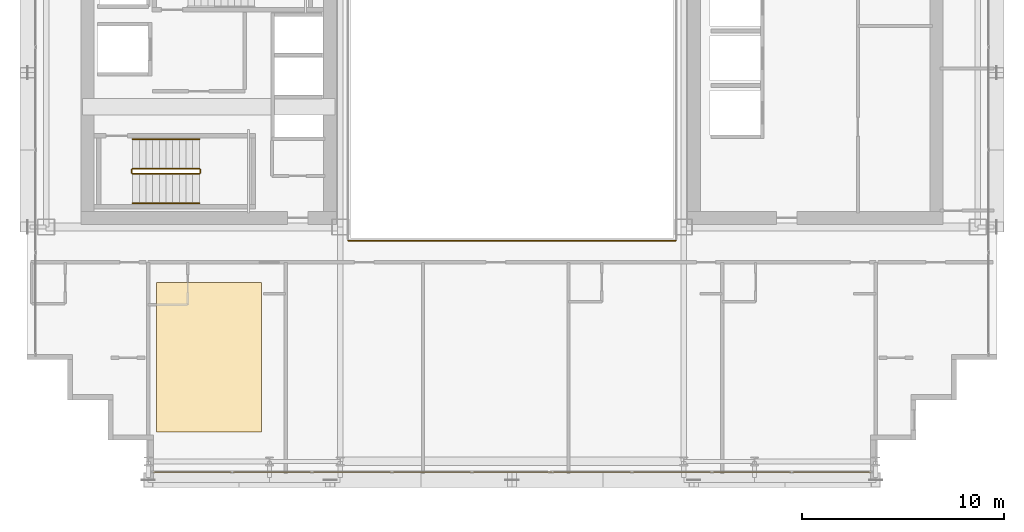
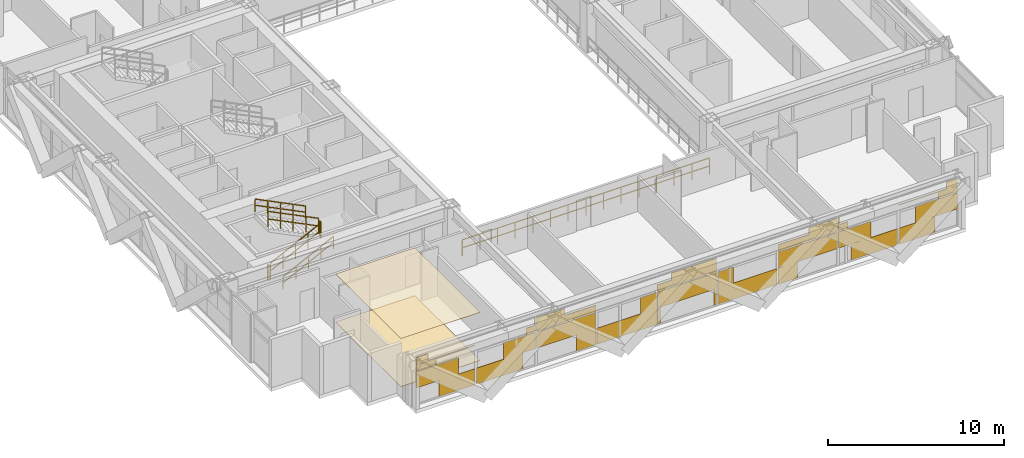
# One storey, part 32 of 35: 7 railings, 3 coverings.
"""IFC4 building model written with IfcOpenShell, lengths in metres."""

from ifc_helpers import new_model, si_unit, direction, frame, origin, origin_2d, place, context, subcontext, project, spatial, polyline, rectangle, outline, extrude, material, layer, layer_set, type_object, element, save


model = new_model("IFC4")

# Units and contexts
model_context = context("Model", 3, precision=1e-05, world=origin(), true_north=direction((0.0, 1.0)))
body_context = subcontext(model_context, "Body", "Model", "MODEL_VIEW")
ifc_project = project(units=[si_unit("LENGTHUNIT", "METRE"), si_unit("AREAUNIT", "SQUARE_METRE"), si_unit("VOLUMEUNIT", "CUBIC_METRE"), si_unit("PLANEANGLEUNIT", "RADIAN"), si_unit("MASSUNIT", "GRAM", prefix="KILO")], contexts=[model_context])

# Site, building, storey
site_placement = place(None, origin())
site = spatial("IfcSite", under=ifc_project, at=site_placement, CompositionType="ELEMENT")
building_placement = place(site_placement, origin())
building = spatial("IfcBuilding", under=site, at=building_placement, Name="Ocotamira Hotel", CompositionType="ELEMENT")
storey_placement = place(building_placement, frame((0.0, 0.0, 144.0)))
storey = spatial("IfcBuildingStorey", under=building, at=storey_placement, Name="L36", CompositionType="ELEMENT", Elevation=144.0)

# Coverings
ifc_material_1 = material(Name="Perforated acoustic gypsum ceiling board", Category="gypsum")
ifc_layer_1 = layer(ifc_material_1, 0.02490234375)
ifc_layer_set_1 = layer_set([ifc_layer_1], Name="Perforated acoustic gypsum ceiling board")
covering_type_1 = type_object("IfcCoveringType", Name="COV-CEIL-25", PredefinedType="CEILING", material=ifc_layer_set_1)
covering_1_placement = place(storey_placement, frame((0.0, 0.0, 3.3349609375)))
element("IfcCovering", 1, at=covering_1_placement, inside=storey, type_object=covering_type_1, Name="L36 Acoustic Ceiling", PredefinedType="CEILING", context=body_context, shape_type="SweptSolid", body=[
    extrude(outline(polyline([(14.39990234375, 4.39990234375), (19.60009765625, 4.39990234375), (19.60009765625, 11.800048828125), (14.39990234375, 11.800048828125), (14.39990234375, 4.39990234375)])), origin(), (0.0, 0.0, 1.0), 0.025146484375),
])
ifc_material_2 = material(Name="Honed desert travertine stone flooring", Category="masonry")
ifc_layer_2 = layer(ifc_material_2, 0.030029296875)
ifc_layer_set_2 = layer_set([ifc_layer_2], Name="Honed desert travertine stone flooring")
covering_type_2 = type_object("IfcCoveringType", Name="COV-FLOR-30", PredefinedType="FLOORING", material=ifc_layer_set_2)
covering_2_placement = place(storey_placement, origin())
element("IfcCovering", 2, at=covering_2_placement, inside=storey, type_object=covering_type_2, Name="L36 Honed Stone Floor Finish", PredefinedType="FLOORING", context=body_context, shape_type="SweptSolid", body=[
    extrude(outline(polyline([(14.39990234375, 4.39990234375), (19.60009765625, 4.39990234375), (19.60009765625, 11.800048828125), (14.39990234375, 11.800048828125), (14.39990234375, 4.39990234375)])), origin(), (0.0, 0.0, 1.0), 0.030029296875),
])
ifc_material_3 = material(Name="Insulated pale-metal aluminium spandrel panel", Category="aluminium")
ifc_layer_3 = layer(ifc_material_3, 0.044921875)
ifc_layer_set_3 = layer_set([ifc_layer_3], Name="Insulated pale-metal aluminium spandrel panel")
covering_type_3 = type_object("IfcCoveringType", Name="COV-INFILL-45", PredefinedType="CLADDING", material=ifc_layer_set_3)
covering_3_placement = place(storey_placement, origin())
element("IfcCovering", 3, at=covering_3_placement, inside=storey, type_object=covering_type_3, Name="L36 Curtain Wall Infill CW-3 CW-L36-S1", PredefinedType="CLADDING", context=body_context, shape_type="SweptSolid", body=[
    extrude(rectangle(XDim=2.754638671875, YDim=0.044921875, at=origin_2d()), frame((15.65771484375, 2.419921875, 1.1943359375), z_axis=(0.0, 0.0, 1.0), x_axis=(1.0, 0.0, 0.0)), (0.0, 0.0, 1.0), 1.117919921875),
    extrude(rectangle(XDim=2.359619140625, YDim=0.044921875, at=origin_2d()), frame((16.935302734375, 2.419921875, 0.07568359375), z_axis=(0.0, 0.0, 1.0), x_axis=(1.0, 0.0, 0.0)), (0.0, 0.0, 1.0), 1.117919921875),
    extrude(rectangle(XDim=1.262451171875, YDim=0.044921875, at=origin_2d()), frame((14.91162109375, 2.419921875, 2.387939453125), z_axis=(0.0, 0.0, 1.0), x_axis=(1.0, 0.0, 0.0)), (0.0, 0.0, 1.0), 0.39111328125),
    extrude(rectangle(XDim=3.834716796875, YDim=0.044921875, at=origin_2d()), frame((16.19775390625, 2.419921875, 2.780029296875), z_axis=(0.0, 0.0, 1.0), x_axis=(1.0, 0.0, 0.0)), (0.0, 0.0, 1.0), 0.03271484375),
    extrude(rectangle(XDim=0.730224609375, YDim=0.044921875, at=origin_2d()), frame((14.6455078125, 2.419921875, 2.813720703125), z_axis=(0.0, 0.0, 1.0), x_axis=(1.0, 0.0, 0.0)), (0.0, 0.0, 1.0), 0.470703125),
    extrude(rectangle(XDim=3.04833984375, YDim=0.044921875, at=origin_2d()), frame((19.72021484375, 2.419921875, 0.07568359375), z_axis=(0.0, 0.0, 1.0), x_axis=(1.0, 0.0, 0.0)), (0.0, 0.0, 1.0), 1.117919921875),
    extrude(rectangle(XDim=2.105712890625, YDim=0.044921875, at=origin_2d()), frame((21.017578125, 2.419921875, 1.1943359375), z_axis=(0.0, 0.0, 1.0), x_axis=(1.0, 0.0, 0.0)), (0.0, 0.0, 1.0), 1.117919921875),
    extrude(rectangle(XDim=0.613525390625, YDim=0.044921875, at=origin_2d()), frame((21.763916015625, 2.419921875, 2.387939453125), z_axis=(0.0, 0.0, 1.0), x_axis=(1.0, 0.0, 0.0)), (0.0, 0.0, 1.0), 0.4248046875),
    extrude(rectangle(XDim=0.081298828125, YDim=0.044921875, at=origin_2d()), frame((22.02978515625, 2.419921875, 2.813720703125), z_axis=(0.0, 0.0, 1.0), x_axis=(1.0, 0.0, 0.0)), (0.0, 0.0, 1.0), 0.470703125),
    extrude(rectangle(XDim=3.87451171875, YDim=0.044921875, at=origin_2d()), frame((24.0888671875, 2.419921875, 1.1943359375), z_axis=(0.0, 0.0, 1.0), x_axis=(1.0, 0.0, 0.0)), (0.0, 0.0, 1.0), 1.117919921875),
    extrude(rectangle(XDim=1.270751953125, YDim=0.044921875, at=origin_2d()), frame((25.390869140625, 2.419921875, 0.07568359375), z_axis=(0.0, 0.0, 1.0), x_axis=(1.0, 0.0, 0.0)), (0.0, 0.0, 1.0), 1.117919921875),
    extrude(rectangle(XDim=3.87451171875, YDim=0.044921875, at=origin_2d()), frame((24.0888671875, 2.419921875, 2.387939453125), z_axis=(0.0, 0.0, 1.0), x_axis=(1.0, 0.0, 0.0)), (0.0, 0.0, 1.0), 0.4248046875),
    extrude(rectangle(XDim=1.859130859375, YDim=0.044921875, at=origin_2d()), frame((23.081298828125, 2.419921875, 2.813720703125), z_axis=(0.0, 0.0, 1.0), x_axis=(1.0, 0.0, 0.0)), (0.0, 0.0, 1.0), 0.470703125),
    extrude(rectangle(XDim=3.87451171875, YDim=0.044921875, at=origin_2d()), frame((28.04443359375, 2.419921875, 0.07568359375), z_axis=(0.0, 0.0, 1.0), x_axis=(1.0, 0.0, 0.0)), (0.0, 0.0, 1.0), 1.117919921875),
    extrude(rectangle(XDim=1.016845703125, YDim=0.044921875, at=origin_2d()), frame((29.473388671875, 2.419921875, 1.1943359375), z_axis=(0.0, 0.0, 1.0), x_axis=(1.0, 0.0, 0.0)), (0.0, 0.0, 1.0), 1.117919921875),
    extrude(rectangle(XDim=0.181884765625, YDim=0.044921875, at=origin_2d()), frame((30.153564453125, 2.419921875, 0.07568359375), z_axis=(0.0, 0.0, 1.0), x_axis=(1.0, 0.0, 0.0)), (0.0, 0.0, 1.0), 1.117919921875),
    extrude(rectangle(XDim=3.87451171875, YDim=0.044921875, at=origin_2d()), frame((32.0, 2.419921875, 1.1943359375), z_axis=(0.0, 0.0, 1.0), x_axis=(1.0, 0.0, 0.0)), (0.0, 0.0, 1.0), 1.117919921875),
    extrude(rectangle(XDim=0.181884765625, YDim=0.044921875, at=origin_2d()), frame((33.846435546875, 2.419921875, 0.07568359375), z_axis=(0.0, 0.0, 1.0), x_axis=(1.0, 0.0, 0.0)), (0.0, 0.0, 1.0), 1.117919921875),
    extrude(rectangle(XDim=3.87451171875, YDim=0.044921875, at=origin_2d()), frame((32.0, 2.419921875, 2.387939453125), z_axis=(0.0, 0.0, 1.0), x_axis=(1.0, 0.0, 0.0)), (0.0, 0.0, 1.0), 0.4248046875),
    extrude(rectangle(XDim=2.947998046875, YDim=0.044921875, at=origin_2d()), frame((32.46337890625, 2.419921875, 2.813720703125), z_axis=(0.0, 0.0, 1.0), x_axis=(1.0, 0.0, 0.0)), (0.0, 0.0, 1.0), 0.470703125),
    extrude(rectangle(XDim=3.87451171875, YDim=0.044921875, at=origin_2d()), frame((35.95556640625, 2.419921875, 0.07568359375), z_axis=(0.0, 0.0, 1.0), x_axis=(1.0, 0.0, 0.0)), (0.0, 0.0, 1.0), 1.117919921875),
    extrude(rectangle(XDim=1.016845703125, YDim=0.044921875, at=origin_2d()), frame((34.526611328125, 2.419921875, 1.1943359375), z_axis=(0.0, 0.0, 1.0), x_axis=(1.0, 0.0, 0.0)), (0.0, 0.0, 1.0), 1.117919921875),
    extrude(rectangle(XDim=1.270751953125, YDim=0.044921875, at=origin_2d()), frame((38.609130859375, 2.419921875, 0.07568359375), z_axis=(0.0, 0.0, 1.0), x_axis=(1.0, 0.0, 0.0)), (0.0, 0.0, 1.0), 1.117919921875),
    extrude(rectangle(XDim=3.87451171875, YDim=0.044921875, at=origin_2d()), frame((39.9111328125, 2.419921875, 1.1943359375), z_axis=(0.0, 0.0, 1.0), x_axis=(1.0, 0.0, 0.0)), (0.0, 0.0, 1.0), 1.117919921875),
    extrude(rectangle(XDim=3.87451171875, YDim=0.044921875, at=origin_2d()), frame((39.9111328125, 2.419921875, 2.387939453125), z_axis=(0.0, 0.0, 1.0), x_axis=(1.0, 0.0, 0.0)), (0.0, 0.0, 1.0), 0.4248046875),
    extrude(rectangle(XDim=1.859130859375, YDim=0.044921875, at=origin_2d()), frame((40.918701171875, 2.419921875, 2.813720703125), z_axis=(0.0, 0.0, 1.0), x_axis=(1.0, 0.0, 0.0)), (0.0, 0.0, 1.0), 0.470703125),
    extrude(rectangle(XDim=2.105712890625, YDim=0.044921875, at=origin_2d()), frame((42.982421875, 2.419921875, 1.1943359375), z_axis=(0.0, 0.0, 1.0), x_axis=(1.0, 0.0, 0.0)), (0.0, 0.0, 1.0), 1.117919921875),
    extrude(rectangle(XDim=3.04833984375, YDim=0.044921875, at=origin_2d()), frame((44.27978515625, 2.419921875, 0.07568359375), z_axis=(0.0, 0.0, 1.0), x_axis=(1.0, 0.0, 0.0)), (0.0, 0.0, 1.0), 1.117919921875),
    extrude(rectangle(XDim=0.613525390625, YDim=0.044921875, at=origin_2d()), frame((42.236083984375, 2.419921875, 2.387939453125), z_axis=(0.0, 0.0, 1.0), x_axis=(1.0, 0.0, 0.0)), (0.0, 0.0, 1.0), 0.4248046875),
    extrude(rectangle(XDim=0.081298828125, YDim=0.044921875, at=origin_2d()), frame((41.97021484375, 2.419921875, 2.813720703125), z_axis=(0.0, 0.0, 1.0), x_axis=(1.0, 0.0, 0.0)), (0.0, 0.0, 1.0), 0.470703125),
    extrude(rectangle(XDim=2.359619140625, YDim=0.044921875, at=origin_2d()), frame((47.064697265625, 2.419921875, 0.07568359375), z_axis=(0.0, 0.0, 1.0), x_axis=(1.0, 0.0, 0.0)), (0.0, 0.0, 1.0), 1.117919921875),
    extrude(rectangle(XDim=2.754638671875, YDim=0.044921875, at=origin_2d()), frame((48.34228515625, 2.419921875, 1.1943359375), z_axis=(0.0, 0.0, 1.0), x_axis=(1.0, 0.0, 0.0)), (0.0, 0.0, 1.0), 1.117919921875),
    extrude(rectangle(XDim=3.834716796875, YDim=0.044921875, at=origin_2d()), frame((47.80224609375, 2.419921875, 2.780029296875), z_axis=(0.0, 0.0, 1.0), x_axis=(1.0, 0.0, 0.0)), (0.0, 0.0, 1.0), 0.03271484375),
    extrude(rectangle(XDim=1.262451171875, YDim=0.044921875, at=origin_2d()), frame((49.08837890625, 2.419921875, 2.387939453125), z_axis=(0.0, 0.0, 1.0), x_axis=(1.0, 0.0, 0.0)), (0.0, 0.0, 1.0), 0.39111328125),
    extrude(rectangle(XDim=0.730224609375, YDim=0.044921875, at=origin_2d()), frame((49.3544921875, 2.419921875, 2.813720703125), z_axis=(0.0, 0.0, 1.0), x_axis=(1.0, 0.0, 0.0)), (0.0, 0.0, 1.0), 0.470703125),
])

# Railings
ifc_material_4 = material(Name="Painted steel stair guardrail", Category="steel")
railing_type_1 = type_object("IfcRailingType", Name="RL-EDGE-1150", PredefinedType="GUARDRAIL", material=ifc_material_4)
railing_1_placement = place(storey_placement, frame((23.89990234375, 13.8798828125, 0.0)))
element("IfcRailing", 4, at=railing_1_placement, inside=storey, type_object=railing_type_1, Name="L36 Central Atrium Edge Guardrail S", PredefinedType="GUARDRAIL", context=body_context, shape_type="SweptSolid", body=[
    extrude(rectangle(XDim=0.048095703125, YDim=0.048095703125, at=origin_2d()), frame((0.0, 0.0, 1.1259765625), z_axis=(1.0, 0.0, 0.0), x_axis=(0.0, 1.0, 0.0)), (0.0, 0.0, 1.0), 16.2001953125),
    extrude(rectangle(XDim=0.048095703125, YDim=0.048095703125, at=origin_2d()), frame((0.0, 0.0, 0.574951171875), z_axis=(1.0, 0.0, 0.0), x_axis=(0.0, 1.0, 0.0)), (0.0, 0.0, 1.0), 16.2001953125),
    extrude(rectangle(XDim=0.0419921875, YDim=0.0419921875, at=origin_2d()), origin(), (0.0, 0.0, 1.0), 1.101806640625),
    extrude(rectangle(XDim=0.0419921875, YDim=0.0419921875, at=origin_2d()), frame((1.1572265625, 0.0, 0.0)), (0.0, 0.0, 1.0), 1.101806640625),
    extrude(rectangle(XDim=0.0419921875, YDim=0.0419921875, at=origin_2d()), frame((2.314208984375, 0.0, 0.0)), (0.0, 0.0, 1.0), 1.101806640625),
    extrude(rectangle(XDim=0.0419921875, YDim=0.0419921875, at=origin_2d()), frame((3.471435546875, 0.0, 0.0)), (0.0, 0.0, 1.0), 1.101806640625),
    extrude(rectangle(XDim=0.0419921875, YDim=0.0419921875, at=origin_2d()), frame((4.628662109375, 0.0, 0.0)), (0.0, 0.0, 1.0), 1.101806640625),
    extrude(rectangle(XDim=0.0419921875, YDim=0.0419921875, at=origin_2d()), frame((5.785888671875, 0.0, 0.0)), (0.0, 0.0, 1.0), 1.101806640625),
    extrude(rectangle(XDim=0.0419921875, YDim=0.0419921875, at=origin_2d()), frame((6.94287109375, 0.0, 0.0)), (0.0, 0.0, 1.0), 1.101806640625),
    extrude(rectangle(XDim=0.0419921875, YDim=0.0419921875, at=origin_2d()), frame((8.10009765625, 0.0, 0.0)), (0.0, 0.0, 1.0), 1.101806640625),
    extrude(rectangle(XDim=0.0419921875, YDim=0.0419921875, at=origin_2d()), frame((9.25732421875, 0.0, 0.0)), (0.0, 0.0, 1.0), 1.101806640625),
    extrude(rectangle(XDim=0.0419921875, YDim=0.0419921875, at=origin_2d()), frame((10.414306640625, 0.0, 0.0)), (0.0, 0.0, 1.0), 1.101806640625),
    extrude(rectangle(XDim=0.0419921875, YDim=0.0419921875, at=origin_2d()), frame((11.571533203125, 0.0, 0.0)), (0.0, 0.0, 1.0), 1.101806640625),
    extrude(rectangle(XDim=0.0419921875, YDim=0.0419921875, at=origin_2d()), frame((12.728759765625, 0.0, 0.0)), (0.0, 0.0, 1.0), 1.101806640625),
    extrude(rectangle(XDim=0.0419921875, YDim=0.0419921875, at=origin_2d()), frame((13.885986328125, 0.0, 0.0)), (0.0, 0.0, 1.0), 1.101806640625),
    extrude(rectangle(XDim=0.0419921875, YDim=0.0419921875, at=origin_2d()), frame((15.04296875, 0.0, 0.0)), (0.0, 0.0, 1.0), 1.101806640625),
    extrude(rectangle(XDim=0.0419921875, YDim=0.0419921875, at=origin_2d()), frame((16.2001953125, 0.0, 0.0)), (0.0, 0.0, 1.0), 1.101806640625),
])
ifc_material_5 = material(Name="Brushed stainless steel handrail", Category="steel")
railing_type_2 = type_object("IfcRailingType", Name="RL-HAND-900", PredefinedType="HANDRAIL", material=ifc_material_5)
railing_2_placement = place(storey_placement, frame((13.22998046875, 15.719970703125, 0.327392578125)))
element("IfcRailing", 5, at=railing_2_placement, inside=storey, type_object=railing_type_2, Name="L36 ST-1 stair handrail 1", PredefinedType="HANDRAIL", context=body_context, shape_type="SweptSolid", body=[
    extrude(rectangle(XDim=0.048095703125, YDim=0.048095703125, at=origin_2d()), frame((0.0, 0.0, 0.8759765625), z_axis=(0.895920123917, 0.0, 0.444215186098), x_axis=(0.0, 1.0, 0.0)), (0.0, 0.0, 1.0), 3.683349609375),
    extrude(rectangle(XDim=0.048095703125, YDim=0.048095703125, at=origin_2d()), frame((0.0, 0.0, 0.449951171875), z_axis=(0.895920123917, 0.0, 0.444215186098), x_axis=(0.0, 1.0, 0.0)), (0.0, 0.0, 1.0), 3.683349609375),
    extrude(rectangle(XDim=0.0419921875, YDim=0.0419921875, at=origin_2d()), origin(), (0.0, 0.0, 1.0), 0.851806640625),
    extrude(rectangle(XDim=0.0419921875, YDim=0.0419921875, at=origin_2d()), frame((0.824951171875, 0.0, 0.4091796875)), (0.0, 0.0, 1.0), 0.851806640625),
    extrude(rectangle(XDim=0.0419921875, YDim=0.0419921875, at=origin_2d()), frame((1.64990234375, 0.0, 0.818115234375)), (0.0, 0.0, 1.0), 0.851806640625),
    extrude(rectangle(XDim=0.0419921875, YDim=0.0419921875, at=origin_2d()), frame((2.47509765625, 0.0, 1.22705078125)), (0.0, 0.0, 1.0), 0.851806640625),
    extrude(rectangle(XDim=0.0419921875, YDim=0.0419921875, at=origin_2d()), frame((3.300048828125, 0.0, 1.63623046875)), (0.0, 0.0, 1.0), 0.851806640625),
])
railing_3_placement = place(storey_placement, frame((16.530029296875, 18.89990234375, 2.127197265625)))
element("IfcRailing", 6, at=railing_3_placement, inside=storey, type_object=railing_type_2, Name="L36 ST-1 stair handrail 2", PredefinedType="HANDRAIL", context=body_context, shape_type="SweptSolid", body=[
    extrude(rectangle(XDim=0.048095703125, YDim=0.048095703125, at=origin_2d()), frame((0.0, 0.0, 0.8759765625), z_axis=(-0.895893744519, 0.0, 0.4442683857), x_axis=(0.0, -1.0, 0.0)), (0.0, 0.0, 1.0), 3.68359375),
    extrude(rectangle(XDim=0.048095703125, YDim=0.048095703125, at=origin_2d()), frame((0.0, 0.0, 0.449951171875), z_axis=(-0.895893744519, 0.0, 0.4442683857), x_axis=(0.0, -1.0, 0.0)), (0.0, 0.0, 1.0), 3.68359375),
    extrude(rectangle(XDim=0.0419921875, YDim=0.0419921875, at=origin_2d()), origin(), (0.0, 0.0, 1.0), 0.851806640625),
    extrude(rectangle(XDim=0.0419921875, YDim=0.0419921875, at=origin_2d()), frame((-0.824951171875, 0.0, 0.4091796875)), (0.0, 0.0, 1.0), 0.851806640625),
    extrude(rectangle(XDim=0.0419921875, YDim=0.0419921875, at=origin_2d()), frame((-1.64990234375, 0.0, 0.818359375)), (0.0, 0.0, 1.0), 0.851806640625),
    extrude(rectangle(XDim=0.0419921875, YDim=0.0419921875, at=origin_2d()), frame((-2.47509765625, 0.0, 1.227294921875)), (0.0, 0.0, 1.0), 0.851806640625),
    extrude(rectangle(XDim=0.0419921875, YDim=0.0419921875, at=origin_2d()), frame((-3.300048828125, 0.0, 1.636474609375)), (0.0, 0.0, 1.0), 0.851806640625),
])
railing_type_3 = type_object("IfcRailingType", Name="RL-STAIR-1100", PredefinedType="GUARDRAIL", material=ifc_material_4)
railing_4_placement = place(storey_placement, frame((13.22998046875, 17.179931640625, 0.16357421875)))
element("IfcRailing", 7, at=railing_4_placement, inside=storey, type_object=railing_type_3, Name="L36 ST-1 stair guard 1", PredefinedType="GUARDRAIL", context=body_context, shape_type="SweptSolid", body=[
    extrude(rectangle(XDim=0.048095703125, YDim=0.048095703125, at=origin_2d()), frame((0.0, 0.0, 1.076171875), z_axis=(0.895893744519, 0.0, 0.4442683857), x_axis=(0.0, 1.0, 0.0)), (0.0, 0.0, 1.0), 3.68359375),
    extrude(rectangle(XDim=0.048095703125, YDim=0.048095703125, at=origin_2d()), frame((0.0, 0.0, 0.550048828125), z_axis=(0.895893744519, 0.0, 0.4442683857), x_axis=(0.0, 1.0, 0.0)), (0.0, 0.0, 1.0), 3.68359375),
    extrude(rectangle(XDim=0.0419921875, YDim=0.0419921875, at=origin_2d()), origin(), (0.0, 0.0, 1.0), 1.052001953125),
    extrude(rectangle(XDim=0.0419921875, YDim=0.0419921875, at=origin_2d()), frame((0.824951171875, 0.0, 0.4091796875)), (0.0, 0.0, 1.0), 1.052001953125),
    extrude(rectangle(XDim=0.0419921875, YDim=0.0419921875, at=origin_2d()), frame((1.64990234375, 0.0, 0.818359375)), (0.0, 0.0, 1.0), 1.052001953125),
    extrude(rectangle(XDim=0.0419921875, YDim=0.0419921875, at=origin_2d()), frame((2.47509765625, 0.0, 1.227294921875)), (0.0, 0.0, 1.0), 1.052001953125),
    extrude(rectangle(XDim=0.0419921875, YDim=0.0419921875, at=origin_2d()), frame((3.300048828125, 0.0, 1.636474609375)), (0.0, 0.0, 1.0), 1.052001953125),
])
railing_5_placement = place(storey_placement, frame((16.580078125, 17.22998046875, 1.800048828125)))
element("IfcRailing", 8, at=railing_5_placement, inside=storey, type_object=railing_type_3, Name="L36 ST-1 stair guard 2", PredefinedType="GUARDRAIL", context=body_context, shape_type="SweptSolid", body=[
    extrude(rectangle(XDim=0.048095703125, YDim=0.048095703125, at=origin_2d()), frame((0.0, 0.0, 1.076171875), z_axis=(0.0, 1.0, 0.0), x_axis=(-1.0, 0.0, 0.0)), (0.0, 0.0, 1.0), 0.159912109375),
    extrude(rectangle(XDim=0.048095703125, YDim=0.048095703125, at=origin_2d()), frame((0.0, 0.0, 0.550048828125), z_axis=(0.0, 1.0, 0.0), x_axis=(-1.0, 0.0, 0.0)), (0.0, 0.0, 1.0), 0.159912109375),
    extrude(rectangle(XDim=0.0419921875, YDim=0.0419921875, at=origin_2d()), origin(), (0.0, 0.0, 1.0), 1.052001953125),
    extrude(rectangle(XDim=0.0419921875, YDim=0.0419921875, at=origin_2d()), frame((0.0, 0.159912109375, 0.0)), (0.0, 0.0, 1.0), 1.052001953125),
])
railing_6_placement = place(storey_placement, frame((16.530029296875, 17.43994140625, 1.963623046875)))
element("IfcRailing", 9, at=railing_6_placement, inside=storey, type_object=railing_type_3, Name="L36 ST-1 stair guard 3", PredefinedType="GUARDRAIL", context=body_context, shape_type="SweptSolid", body=[
    extrude(rectangle(XDim=0.048095703125, YDim=0.048095703125, at=origin_2d()), frame((0.0, 0.0, 1.076171875), z_axis=(-0.895893744519, 0.0, 0.4442683857), x_axis=(0.0, -1.0, 0.0)), (0.0, 0.0, 1.0), 3.68359375),
    extrude(rectangle(XDim=0.048095703125, YDim=0.048095703125, at=origin_2d()), frame((0.0, 0.0, 0.550048828125), z_axis=(-0.895893744519, 0.0, 0.4442683857), x_axis=(0.0, -1.0, 0.0)), (0.0, 0.0, 1.0), 3.68359375),
    extrude(rectangle(XDim=0.0419921875, YDim=0.0419921875, at=origin_2d()), origin(), (0.0, 0.0, 1.0), 1.052001953125),
    extrude(rectangle(XDim=0.0419921875, YDim=0.0419921875, at=origin_2d()), frame((-0.824951171875, 0.0, 0.4091796875)), (0.0, 0.0, 1.0), 1.052001953125),
    extrude(rectangle(XDim=0.0419921875, YDim=0.0419921875, at=origin_2d()), frame((-1.64990234375, 0.0, 0.818359375)), (0.0, 0.0, 1.0), 1.052001953125),
    extrude(rectangle(XDim=0.0419921875, YDim=0.0419921875, at=origin_2d()), frame((-2.47509765625, 0.0, 1.227294921875)), (0.0, 0.0, 1.0), 1.052001953125),
    extrude(rectangle(XDim=0.0419921875, YDim=0.0419921875, at=origin_2d()), frame((-3.300048828125, 0.0, 1.636474609375)), (0.0, 0.0, 1.0), 1.052001953125),
])
railing_7_placement = place(storey_placement, frame((13.179931640625, 17.22998046875, 0.0)))
element("IfcRailing", 10, at=railing_7_placement, inside=storey, type_object=railing_type_3, Name="L36 ST-1 stair guard 4", PredefinedType="GUARDRAIL", context=body_context, shape_type="SweptSolid", body=[
    extrude(rectangle(XDim=0.048095703125, YDim=0.048095703125, at=origin_2d()), frame((0.0, 0.0, 1.076171875), z_axis=(0.0, 1.0, 0.0), x_axis=(-1.0, 0.0, 0.0)), (0.0, 0.0, 1.0), 0.159912109375),
    extrude(rectangle(XDim=0.048095703125, YDim=0.048095703125, at=origin_2d()), frame((0.0, 0.0, 0.550048828125), z_axis=(0.0, 1.0, 0.0), x_axis=(-1.0, 0.0, 0.0)), (0.0, 0.0, 1.0), 0.159912109375),
    extrude(rectangle(XDim=0.0419921875, YDim=0.0419921875, at=origin_2d()), origin(), (0.0, 0.0, 1.0), 1.052001953125),
    extrude(rectangle(XDim=0.0419921875, YDim=0.0419921875, at=origin_2d()), frame((0.0, 0.159912109375, 0.0)), (0.0, 0.0, 1.0), 1.052001953125),
])

save(model, "model.ifc")
